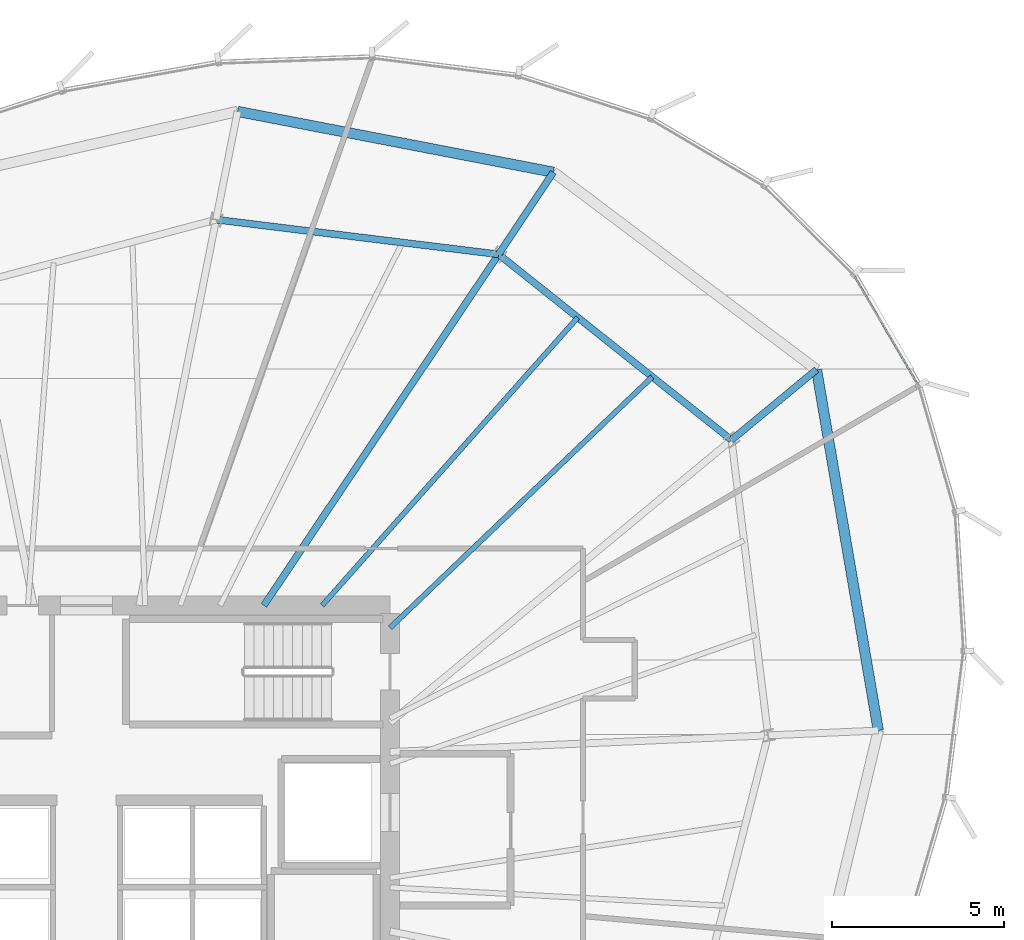
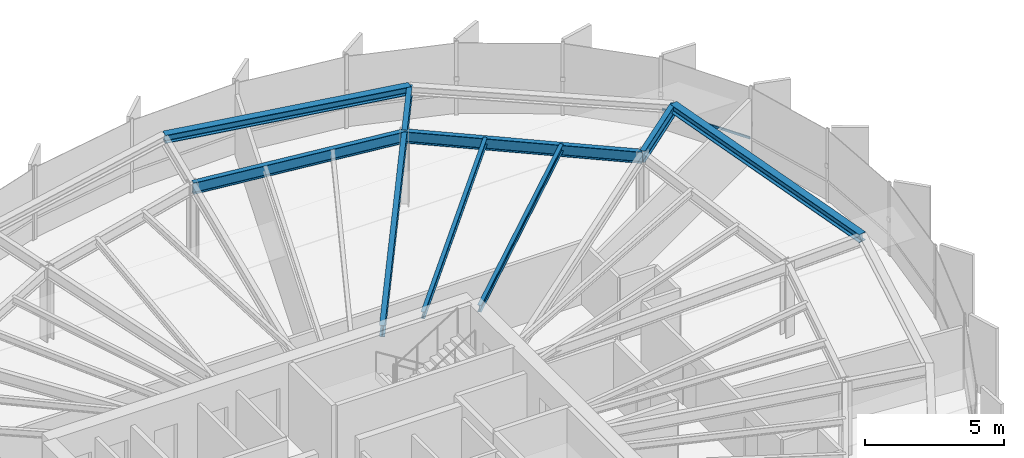
# One storey, part 24 of 34: 9 beams, 1 member, 1 element without a shape of its own.
"""IFC4 building model written with IfcOpenShell, lengths in metres."""

from ifc_helpers import new_model, si_unit, direction, frame, origin, origin_2d, place, context, subcontext, project, spatial, hollow_rectangle, i_section, extrude, source, transform, mapped, material, layer, layer_set, material_profile, profile_set, type_object, element, aggregate, save


model = new_model("IFC4")

# Units and contexts
model_context = context("Model", 3, precision=1e-05, world=origin(), true_north=direction((0.0, 1.0)))
body_context = subcontext(model_context, "Body", "Model", "MODEL_VIEW")
ifc_project = project(units=[si_unit("LENGTHUNIT", "METRE"), si_unit("AREAUNIT", "SQUARE_METRE"), si_unit("VOLUMEUNIT", "CUBIC_METRE"), si_unit("PLANEANGLEUNIT", "RADIAN"), si_unit("MASSUNIT", "GRAM", prefix="KILO"), si_unit("THERMODYNAMICTEMPERATUREUNIT", "KELVIN")], contexts=[model_context])

# Site, building, storey
site_placement = place(None, origin())
site = spatial("IfcSite", under=ifc_project, at=site_placement, CompositionType="ELEMENT")
building_placement = place(site_placement, origin())
building = spatial("IfcBuilding", under=site, at=building_placement, Name="Kethvar Cultural Tower", CompositionType="ELEMENT")
storey_placement = place(building_placement, frame((0.0, 0.0, 186.89990234375)))
storey = spatial("IfcBuildingStorey", under=building, at=storey_placement, Name="L48", CompositionType="ELEMENT", Elevation=186.89990234375)

# Beams
ifc_material_1 = material(Name="Steel S355J2", Category="steel")
ifc_material_profile_1 = material_profile(ifc_material_1, i_section(OverallWidth=0.199951171875, OverallDepth=0.5, WebThickness=0.01025390625, FlangeThickness=0.01611328125, FilletRadius=0.02099609375, at=origin_2d()), Name="Steel S355J2 — IPE500")
ifc_profile_set_1 = profile_set([ifc_material_profile_1], Name="Steel S355J2 — IPE500")
beam_type_1 = type_object("IfcBeamType", Name="BM-IPE500", PredefinedType="BEAM", material=ifc_profile_set_1)
shared_shape_1 = source(origin(), body_context, "Body", "SweptSolid", [
    extrude(i_section(OverallWidth=0.199951171875, OverallDepth=0.5, WebThickness=0.01025390625, FlangeThickness=0.01611328125, FilletRadius=0.02099609375, at=origin_2d()), origin(), (0.0, 0.0, 1.0), 3.199951171875),
])
beam_1_placement = place(storey_placement, frame((65.504150390625, 40.297607421875, 3.008056640625), z_axis=(0.770324538831, 0.637652024913, 0.0), x_axis=(-0.637652024913, 0.770324538831, 0.0)))
element("IfcBeam", 1, at=beam_1_placement, inside=storey, type_object=beam_type_1, Name="L48 Perimeter Cantilever Beam RC-02", PredefinedType="BEAM", context=body_context, shape_type="MappedRepresentation", body=[
    mapped(shared_shape_1, transform((0.0, 0.0, 0.0), scale=1.0)),
])
shared_shape_2 = source(origin(), body_context, "Body", "SweptSolid", [
    extrude(i_section(OverallWidth=0.199951171875, OverallDepth=0.5, WebThickness=0.01025390625, FlangeThickness=0.01611328125, FilletRadius=0.02099609375, at=origin_2d()), origin(), (0.0, 0.0, 1.0), 12.2451171875),
])
beam_2_placement = place(storey_placement, frame((51.945068359375, 35.5, 3.008056640625), z_axis=(0.555569492312, 0.831470107227, 0.0), x_axis=(-0.831470107227, 0.555569492312, 0.0)))
element("IfcBeam", 2, at=beam_2_placement, inside=storey, type_object=beam_type_1, Name="L48 Primary Radial Beam RB-03", PredefinedType="BEAM", context=body_context, shape_type="MappedRepresentation", body=[
    mapped(shared_shape_2, transform((0.0, 0.0, 0.0), scale=1.0)),
])
ifc_material_profile_2 = material_profile(ifc_material_1, i_section(OverallWidth=0.300048828125, OverallDepth=0.360107421875, WebThickness=0.012451171875, FlangeThickness=0.0224609375, FilletRadius=0.027099609375, at=origin_2d()), Name="Steel S355J2 — HEB360")
ifc_profile_set_2 = profile_set([ifc_material_profile_2], Name="Steel S355J2 — HEB360")
beam_type_2 = type_object("IfcBeamType", Name="BM-SP360", PredefinedType="SPANDREL", material=ifc_profile_set_2)
shared_shape_3 = source(origin(), body_context, "Body", "SweptSolid", [
    extrude(i_section(OverallWidth=0.300048828125, OverallDepth=0.360107421875, WebThickness=0.012451171875, FlangeThickness=0.0224609375, FilletRadius=0.027099609375, at=origin_2d()), origin(), (0.0, 0.0, 1.0), 10.618896484375),
])
beam_3_placement = place(storey_placement, frame((69.760986328125, 31.87158203125, 3.078125), z_axis=(-0.168733441284, 0.985661719756, 0.0), x_axis=(-0.985661719756, -0.168733441284, 0.0)))
element("IfcBeam", 3, at=beam_3_placement, inside=storey, type_object=beam_type_2, Name="L48 Perimeter Spandrel Beam SP-01", PredefinedType="SPANDREL", context=body_context, shape_type="MappedRepresentation", body=[
    mapped(shared_shape_3, transform((0.0, 0.0, 0.0), scale=1.0)),
])
shared_shape_4 = source(origin(), body_context, "Body", "SweptSolid", [
    extrude(i_section(OverallWidth=0.199951171875, OverallDepth=0.5, WebThickness=0.01025390625, FlangeThickness=0.01611328125, FilletRadius=0.02099609375, at=origin_2d()), origin(), (0.0, 0.0, 1.0), 8.638916015625),
])
beam_4_placement = place(storey_placement, frame((65.504150390625, 40.297607421875, 3.008056640625), z_axis=(-0.782058475366, 0.623205055425, 0.0), x_axis=(-0.623205055425, -0.782058475366, 0.0)))
element("IfcBeam", 4, at=beam_4_placement, inside=storey, type_object=beam_type_1, Name="L48 Column Ring Tie Beam CR-02", PredefinedType="BEAM", context=body_context, shape_type="MappedRepresentation", body=[
    mapped(shared_shape_4, transform((0.0, 0.0, 0.0), scale=1.0)),
])
ifc_material_profile_3 = material_profile(ifc_material_1, i_section(OverallWidth=0.14990234375, OverallDepth=0.300048828125, WebThickness=0.007080078125, FlangeThickness=0.0107421875, FilletRadius=0.014892578125, at=origin_2d()), Name="Steel S355J2 — IPE300")
ifc_profile_set_3 = profile_set([ifc_material_profile_3], Name="Steel S355J2 — IPE300")
beam_type_3 = type_object("IfcBeamType", Name="BM-J300", PredefinedType="JOIST", material=ifc_profile_set_3)
shared_shape_5 = source(origin(), body_context, "Body", "SweptSolid", [
    extrude(i_section(OverallWidth=0.14990234375, OverallDepth=0.300048828125, WebThickness=0.007080078125, FlangeThickness=0.0107421875, FilletRadius=0.014892578125, at=origin_2d()), origin(), (0.0, 0.0, 1.0), 10.52783203125),
])
beam_5_placement = place(storey_placement, frame((55.60009765625, 34.85009765625, 3.108154296875), z_axis=(0.722552708299, 0.691315835006, 0.0), x_axis=(-0.691315835006, 0.722552708299, 0.0)))
element("IfcBeam", 5, at=beam_5_placement, inside=storey, type_object=beam_type_3, Name="L48 Composite Floor Joist J-02A", PredefinedType="JOIST", context=body_context, shape_type="MappedRepresentation", body=[
    mapped(shared_shape_5, transform((0.0, 0.0, 0.0), scale=1.0)),
])
shared_shape_6 = source(origin(), body_context, "Body", "SweptSolid", [
    extrude(i_section(OverallWidth=0.14990234375, OverallDepth=0.300048828125, WebThickness=0.007080078125, FlangeThickness=0.0107421875, FilletRadius=0.014892578125, at=origin_2d()), origin(), (0.0, 0.0, 1.0), 11.16552734375),
])
beam_6_placement = place(storey_placement, frame((53.6337890625, 35.5, 3.108154296875), z_axis=(0.663773261048, 0.747933859321, 0.0), x_axis=(-0.747933859321, 0.663773261048, 0.0)))
element("IfcBeam", 6, at=beam_6_placement, inside=storey, type_object=beam_type_3, Name="L48 Composite Floor Joist J-02B", PredefinedType="JOIST", context=body_context, shape_type="MappedRepresentation", body=[
    mapped(shared_shape_6, transform((0.0, 0.0, 0.0), scale=1.0)),
])
shared_shape_7 = source(origin(), body_context, "Body", "SweptSolid", [
    extrude(i_section(OverallWidth=0.199951171875, OverallDepth=0.5, WebThickness=0.01025390625, FlangeThickness=0.01611328125, FilletRadius=0.02099609375, at=origin_2d()), origin(), (0.0, 0.0, 1.0), 8.252685546875),
])
beam_7_placement = place(storey_placement, frame((58.748046875, 45.681396484375, 3.008056640625), z_axis=(-0.992540943467, 0.121911753093, 0.0), x_axis=(-0.121911753093, -0.992540943467, 0.0)))
element("IfcBeam", 7, at=beam_7_placement, inside=storey, type_object=beam_type_1, Name="L48 Column Ring Tie Beam CR-03", PredefinedType="BEAM", context=body_context, shape_type="MappedRepresentation", body=[
    mapped(shared_shape_7, transform((0.0, 0.0, 0.0), scale=1.0)),
])
shared_shape_8 = source(origin(), body_context, "Body", "SweptSolid", [
    extrude(i_section(OverallWidth=0.199951171875, OverallDepth=0.5, WebThickness=0.01025390625, FlangeThickness=0.01611328125, FilletRadius=0.02099609375, at=origin_2d()), origin(), (0.0, 0.0, 1.0), 2.8642578125),
])
beam_8_placement = place(storey_placement, frame((58.748046875, 45.681396484375, 3.008056640625), z_axis=(0.555565364888, 0.831472865063, 0.0), x_axis=(-0.831472865063, 0.555565364888, 0.0)))
element("IfcBeam", 8, at=beam_8_placement, inside=storey, type_object=beam_type_1, Name="L48 Perimeter Cantilever Beam RC-03", PredefinedType="BEAM", context=body_context, shape_type="MappedRepresentation", body=[
    mapped(shared_shape_8, transform((0.0, 0.0, 0.0), scale=1.0)),
])
shared_shape_9 = source(origin(), body_context, "Body", "SweptSolid", [
    extrude(i_section(OverallWidth=0.300048828125, OverallDepth=0.360107421875, WebThickness=0.012451171875, FlangeThickness=0.0224609375, FilletRadius=0.027099609375, at=origin_2d()), origin(), (0.0, 0.0, 1.0), 9.326416015625),
])
beam_9_placement = place(storey_placement, frame((60.33935546875, 48.06298828125, 3.078125), z_axis=(-0.981971701263, 0.189027981841, 0.0), x_axis=(-0.189027981841, -0.981971701263, 0.0)))
element("IfcBeam", 9, at=beam_9_placement, inside=storey, type_object=beam_type_2, Name="L48 Perimeter Spandrel Beam SP-03", PredefinedType="SPANDREL", context=body_context, shape_type="MappedRepresentation", body=[
    mapped(shared_shape_9, transform((0.0, 0.0, 0.0), scale=1.0)),
])

# Curtain wall, member
ifc_material_2 = material(Name="Aluminium 6063-T6", Category="aluminium")
ifc_layer = layer(ifc_material_2, 0.179931640625, Name="Aluminium 6063-T6", Category="aluminium")
ifc_layer_set = layer_set([ifc_layer], Name="Aluminium 6063-T6 (180 mm)")
curtain_wall_type = type_object("IfcCurtainWallType", Name="CW-SYS-04-Z34", PredefinedType="NOTDEFINED", material=ifc_layer_set)
curtain_wall_placement = place(storey_placement, origin())
curtain_wall = element("IfcCurtainWall", 10, at=curtain_wall_placement, inside=storey, type_object=curtain_wall_type, Name="L48 Curtain Wall Run 06", PredefinedType="NOTDEFINED")
ifc_material_profile_4 = material_profile(ifc_material_2, hollow_rectangle(XDim=0.050048828125, YDim=0.10009765625, WallThickness=0.00390625, at=origin_2d()), Name="Aluminium 6063-T6 — RHS100x50x4")
ifc_profile_set_4 = profile_set([ifc_material_profile_4], Name="Aluminium 6063-T6 — RHS100x50x4")
member_type = type_object("IfcMemberType", Name="CW-SYS-04-Z34-TRN", PredefinedType="USERDEFINED", material=ifc_profile_set_4)
shared_shape_10 = source(origin(), body_context, "Body", "SweptSolid", [
    extrude(hollow_rectangle(XDim=0.050048828125, YDim=0.10009765625, WallThickness=0.00390625, at=origin_2d()), origin(), (0.0, 0.0, 1.0), 3.62939453125),
])
member_placement = place(storey_placement, frame((70.905517578125, 41.90771484375, 0.9501953125), z_axis=(-0.504907902169, 0.863173221507, 0.0), x_axis=(-0.863173221507, -0.504907902169, 0.0)))
member = element("IfcMember", 11, at=member_placement, type_object=member_type, Name="CW-L48-R06 Transom 6", ObjectType="TRANSOM", PredefinedType="USERDEFINED", context=body_context, shape_type="MappedRepresentation", body=[
    mapped(shared_shape_10, transform((0.0, 0.0, 0.0), scale=1.0)),
])
aggregate(curtain_wall, [member])

save(model, "model.ifc")
